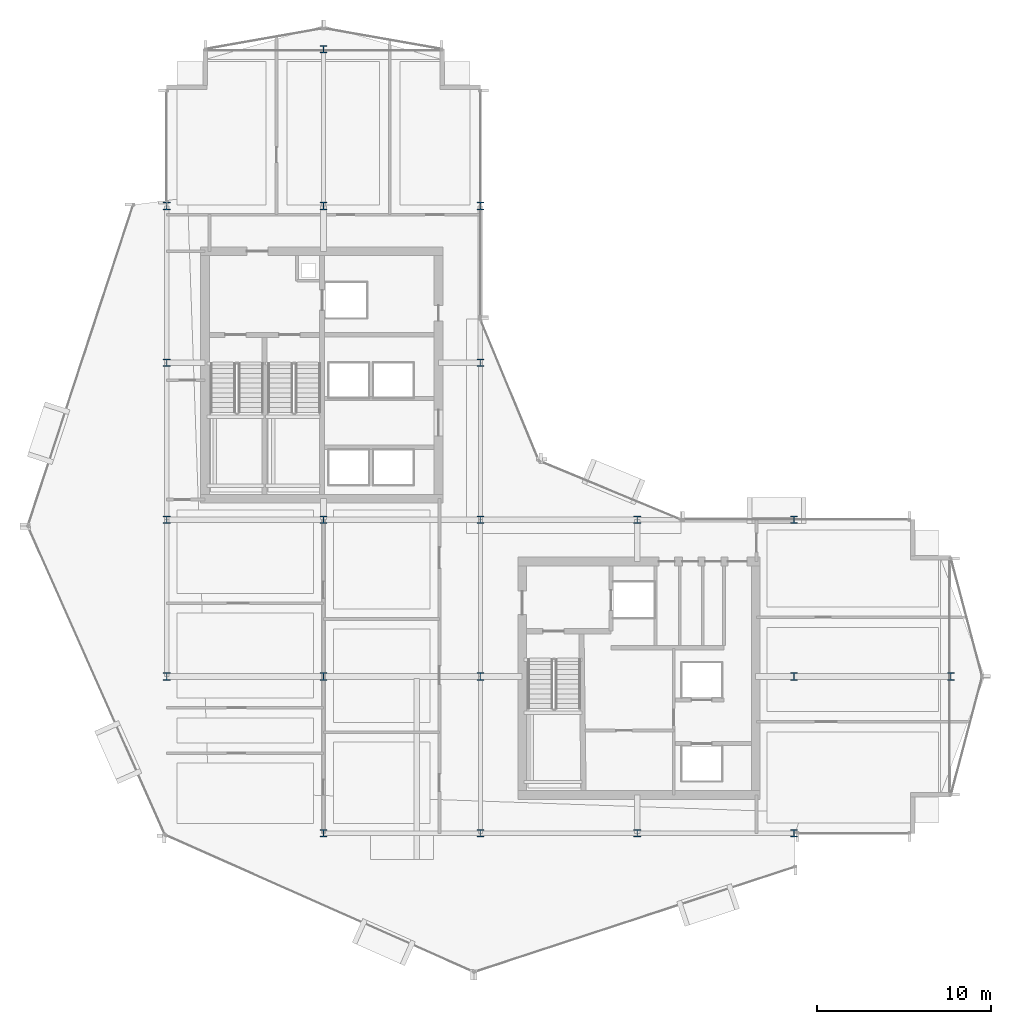
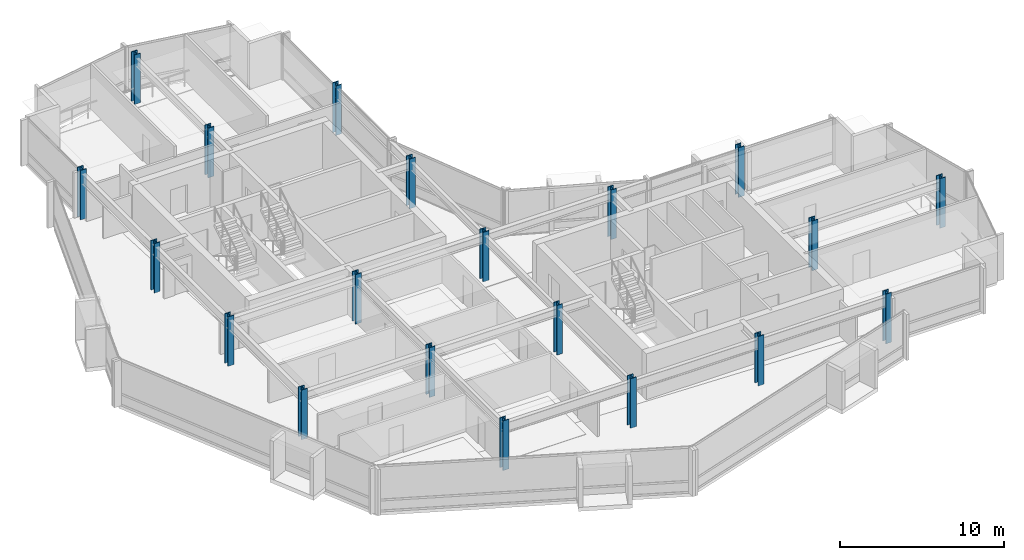
# One storey, part 1 of 29: 20 columns.
"""IFC4 building model written with IfcOpenShell, lengths in metres."""

from ifc_helpers import new_model, si_unit, direction, frame, origin, origin_2d, place, context, subcontext, project, spatial, i_section, extrude, material, material_profile, profile_set, type_object, element, save


model = new_model("IFC4")

# Units and contexts
model_context = context("Model", 3, precision=1e-05, world=origin(), true_north=direction((0.0, 1.0)))
body_context = subcontext(model_context, "Body", "Model", "MODEL_VIEW")
ifc_project = project(units=[si_unit("LENGTHUNIT", "METRE"), si_unit("AREAUNIT", "SQUARE_METRE"), si_unit("VOLUMEUNIT", "CUBIC_METRE"), si_unit("PLANEANGLEUNIT", "RADIAN"), si_unit("MASSUNIT", "GRAM", prefix="KILO")], contexts=[model_context])

# Site, building, storey
site_placement = place(None, origin())
site = spatial("IfcSite", under=ifc_project, at=site_placement, CompositionType="ELEMENT")
building_placement = place(site_placement, origin())
building = spatial("IfcBuilding", under=site, at=building_placement, Name="Solvaryn Broadcast Tower", CompositionType="ELEMENT")
storey_placement = place(building_placement, frame((0.0, 0.0, 161.800048828125)))
storey = spatial("IfcBuildingStorey", under=building, at=storey_placement, Name="L40", CompositionType="ELEMENT", Elevation=161.800048828125)

# Columns
ifc_material_1 = material(Name="Steel ASTM A913 Grade 65", Category="steel")
ifc_material_profile_1 = material_profile(ifc_material_1, i_section(OverallWidth=0.412109375, OverallDepth=0.43505859375, WebThickness=0.035888671875, FlangeThickness=0.057373046875, FilletRadius=0.014892578125, at=origin_2d()))
ifc_profile_set_1 = profile_set([ifc_material_profile_1], Name="Steel ASTM A913 Grade 65")
column_type_1 = type_object("IfcColumnType", Name="COL-C06E-W14X311", PredefinedType="COLUMN", material=ifc_profile_set_1)
for number, where, z_axis, x_axis, name in (
    (1, (9.0, 18.0, 0.0), (0.0, 0.0, 1.0), (1.0, 0.0, 0.0), "L40 Column (9.0, 18.0)"),
    (2, (9.0, 27.0, 0.0), (0.0, 0.0, 1.0), (1.0, 0.0, 0.0), "L40 Column (9.0, 27.0)"),
    (3, (9.0, 36.0, 0.0), (0.0, 0.0, 1.0), (1.0, 0.0, 0.0), "L40 Column (9.0, 36.0)"),
    (4, (9.0, 45.0, 0.0), (0.0, 0.0, 1.0), (1.0, 0.0, 0.0), "L40 Column (9.0, 45.0)"),
    (5, (18.0, 9.0, 0.0), (0.0, 0.0, 1.0), (1.0, 0.0, 0.0), "L40 Column (18.0, 9.0)"),
    (6, (18.0, 54.0, 0.0), (0.0, 0.0, 1.0), (1.0, 0.0, 0.0), "L40 Column (18.0, 54.0)"),
    (7, (27.0, 9.0, 0.0), (0.0, 0.0, 1.0), (1.0, 0.0, 0.0), "L40 Column (27.0, 9.0)"),
    (8, (27.0, 36.0, 0.0), (0.0, 0.0, 1.0), (1.0, 0.0, 0.0), "L40 Column (27.0, 36.0)"),
    (9, (27.0, 45.0, 0.0), (0.0, 0.0, 1.0), (1.0, 0.0, 0.0), "L40 Column (27.0, 45.0)"),
    (10, (36.0, 9.0, 0.0), (0.0, 0.0, 1.0), (1.0, 0.0, 0.0), "L40 Column (36.0, 9.0)"),
    (11, (36.0, 27.0, 0.0), (0.0, 0.0, 1.0), (1.0, 0.0, 0.0), "L40 Column (36.0, 27.0)"),
    (12, (45.0, 9.0, 0.0), (0.0, 0.0, 1.0), (1.0, 0.0, 0.0), "L40 Column (45.0, 9.0)"),
    (13, (45.0, 27.0, 0.0), (0.0, 0.0, 1.0), (1.0, 0.0, 0.0), "L40 Column (45.0, 27.0)"),
    (14, (54.0, 18.0, 0.0), (0.0, 0.0, 1.0), (1.0, 0.0, 0.0), "L40 Column (54.0, 18.0)"),
):
    element("IfcColumn", number, at=place(storey_placement, frame(where, z_axis=z_axis, x_axis=x_axis)), inside=storey, type_object=column_type_1, Name=name, PredefinedType="COLUMN", context=body_context, shape_type="SweptSolid", body=[
        extrude(i_section(OverallWidth=0.412109375, OverallDepth=0.43505859375, WebThickness=0.035888671875, FlangeThickness=0.057373046875, FilletRadius=0.014892578125, at=origin_2d()), origin(), (0.0, 0.0, 1.0), 3.699951171875),
    ])
ifc_material_2 = material(Name="Steel ASTM A913 Grade 65", Category="steel")
ifc_material_profile_2 = material_profile(ifc_material_2, i_section(OverallWidth=0.412109375, OverallDepth=0.43505859375, WebThickness=0.035888671875, FlangeThickness=0.057373046875, FilletRadius=0.014892578125, at=origin_2d()))
ifc_profile_set_2 = profile_set([ifc_material_profile_2], Name="Steel ASTM A913 Grade 65")
column_type_2 = type_object("IfcColumnType", Name="COL-C06I-W14X311", PredefinedType="COLUMN", material=ifc_profile_set_2)
for number, where, z_axis, x_axis, name in (
    (15, (18.0, 18.0, 0.0), (0.0, 0.0, 1.0), (1.0, 0.0, 0.0), "L40 Column (18.0, 18.0)"),
    (16, (18.0, 27.0, 0.0), (0.0, 0.0, 1.0), (1.0, 0.0, 0.0), "L40 Column (18.0, 27.0)"),
    (17, (18.0, 45.0, 0.0), (0.0, 0.0, 1.0), (1.0, 0.0, 0.0), "L40 Column (18.0, 45.0)"),
    (18, (27.0, 18.0, 0.0), (0.0, 0.0, 1.0), (1.0, 0.0, 0.0), "L40 Column (27.0, 18.0)"),
    (19, (27.0, 27.0, 0.0), (0.0, 0.0, 1.0), (1.0, 0.0, 0.0), "L40 Column (27.0, 27.0)"),
    (20, (45.0, 18.0, 0.0), (0.0, 0.0, 1.0), (1.0, 0.0, 0.0), "L40 Column (45.0, 18.0)"),
):
    element("IfcColumn", number, at=place(storey_placement, frame(where, z_axis=z_axis, x_axis=x_axis)), inside=storey, type_object=column_type_2, Name=name, PredefinedType="COLUMN", context=body_context, shape_type="SweptSolid", body=[
        extrude(i_section(OverallWidth=0.412109375, OverallDepth=0.43505859375, WebThickness=0.035888671875, FlangeThickness=0.057373046875, FilletRadius=0.014892578125, at=origin_2d()), origin(), (0.0, 0.0, 1.0), 3.699951171875),
    ])

save(model, "model.ifc")
